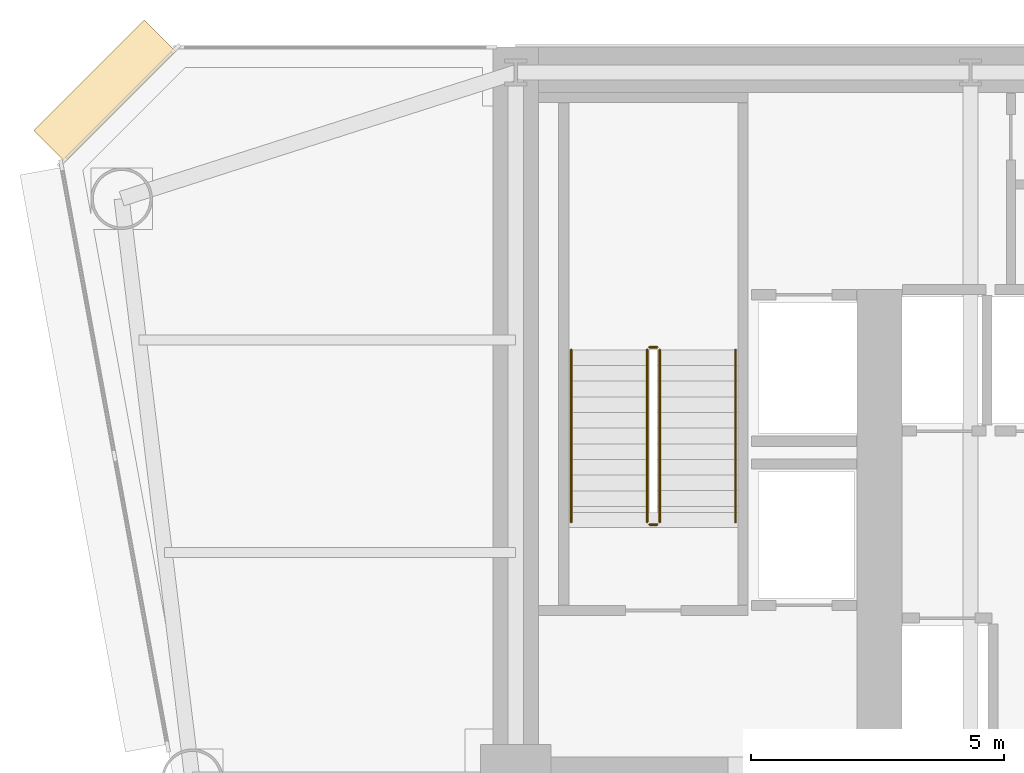
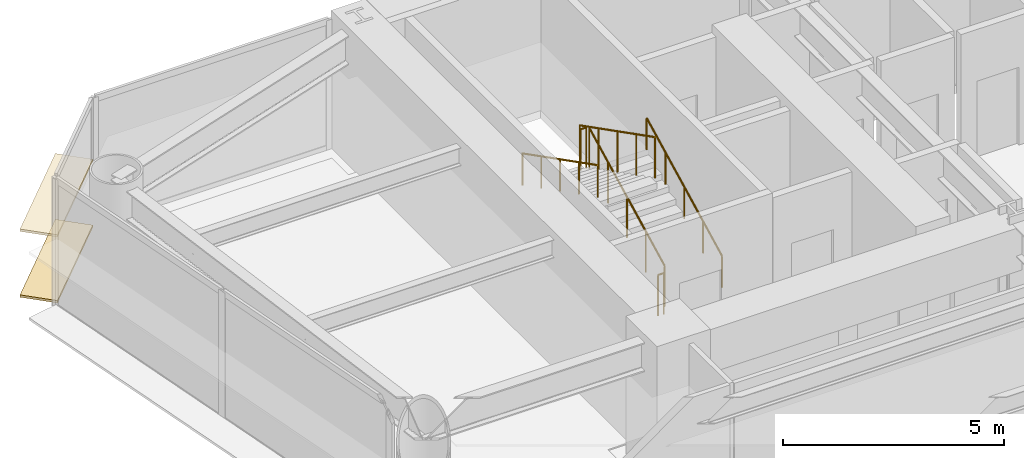
# One storey, part 12 of 14: 6 railings, 2 coverings.
"""IFC4 building model written with IfcOpenShell, lengths in metres."""

from ifc_helpers import new_model, si_unit, direction, frame, origin, origin_2d, place, context, subcontext, project, spatial, rectangle, circle, extrude, source, transform, mapped, material, layer, layer_set, type_object, element, save


model = new_model("IFC4")

# Units and contexts
model_context = context("Model", 3, precision=1e-05, world=origin(), true_north=direction((0.0, 1.0)))
body_context = subcontext(model_context, "Body", "Model", "MODEL_VIEW")
ifc_project = project(units=[si_unit("LENGTHUNIT", "METRE"), si_unit("AREAUNIT", "SQUARE_METRE"), si_unit("VOLUMEUNIT", "CUBIC_METRE"), si_unit("PLANEANGLEUNIT", "RADIAN"), si_unit("MASSUNIT", "GRAM", prefix="KILO")], contexts=[model_context])

# Site, building, storey
site_placement = place(None, origin())
site = spatial("IfcSite", under=ifc_project, at=site_placement, CompositionType="ELEMENT")
building_placement = place(site_placement, origin())
building = spatial("IfcBuilding", under=site, at=building_placement, Name="Vaeldorn Concourse Tower", CompositionType="ELEMENT")
storey_placement = place(building_placement, frame((0.0, 0.0, 75.800048828125)))
storey = spatial("IfcBuildingStorey", under=building, at=storey_placement, Name="L19", CompositionType="ELEMENT", Elevation=75.800048828125)

# Railings
ifc_material = material(Name="Anodised Bronze Aluminium", Category="aluminium")
railing_type_1 = type_object("IfcRailingType", Name="RL-STAIR-GUARD", PredefinedType="GUARDRAIL", material=ifc_material)
railing_1_placement = place(storey_placement, frame((16.85009765625, 41.60009765625, 0.158203125)))
element("IfcRailing", 1, at=railing_1_placement, inside=storey, type_object=railing_type_1, Name="L19 ST-1 stair guard 1", PredefinedType="GUARDRAIL", context=body_context, shape_type="SweptSolid", body=[
    extrude(circle(Radius=0.02392578125, at=origin_2d()), frame((0.0, 0.0, 1.1259765625), z_axis=(0.0, 0.890555807335, 0.454873997962), x_axis=(-1.0, 0.0, 0.0)), (0.0, 0.0, 1.0), 3.828857421875),
    extrude(circle(Radius=0.02099609375, at=origin_2d()), origin(), (0.0, 0.0, 1.0), 1.101806640625),
    extrude(circle(Radius=0.02099609375, at=origin_2d()), frame((0.0, 0.8525390625, 0.435546875)), (0.0, 0.0, 1.0), 1.101806640625),
    extrude(circle(Radius=0.02099609375, at=origin_2d()), frame((0.0, 1.705078125, 0.870849609375)), (0.0, 0.0, 1.0), 1.101806640625),
    extrude(circle(Radius=0.02099609375, at=origin_2d()), frame((0.0, 2.557373046875, 1.30615234375)), (0.0, 0.0, 1.0), 1.101806640625),
    extrude(circle(Radius=0.02099609375, at=origin_2d()), frame((0.0, 3.409912109375, 1.74169921875)), (0.0, 0.0, 1.0), 1.101806640625),
])
railing_2_placement = place(storey_placement, frame((16.800048828125, 45.06005859375, 1.89990234375)))
element("IfcRailing", 2, at=railing_2_placement, inside=storey, type_object=railing_type_1, Name="L19 ST-1 stair guard 2", PredefinedType="GUARDRAIL", context=body_context, shape_type="SweptSolid", body=[
    extrude(circle(Radius=0.02392578125, at=origin_2d()), frame((0.0, 0.0, 1.1259765625), z_axis=(-1.0, 0.0, 0.0), x_axis=(0.0, -1.0, 0.0)), (0.0, 0.0, 1.0), 0.150146484375),
    extrude(circle(Radius=0.02099609375, at=origin_2d()), origin(), (0.0, 0.0, 1.0), 1.101806640625),
    extrude(circle(Radius=0.02099609375, at=origin_2d()), frame((-0.150146484375, 0.0, 0.0)), (0.0, 0.0, 1.0), 1.101806640625),
])
railing_3_placement = place(storey_placement, frame((16.60009765625, 45.010009765625, 2.058349609375)))
element("IfcRailing", 3, at=railing_3_placement, inside=storey, type_object=railing_type_1, Name="L19 ST-1 stair guard 3", PredefinedType="GUARDRAIL", context=body_context, shape_type="SweptSolid", body=[
    extrude(circle(Radius=0.02392578125, at=origin_2d()), frame((0.0, 0.0, 1.1259765625), z_axis=(0.0, -0.890555807335, 0.454873997962), x_axis=(1.0, 0.0, 0.0)), (0.0, 0.0, 1.0), 3.828857421875),
    extrude(circle(Radius=0.02099609375, at=origin_2d()), origin(), (0.0, 0.0, 1.0), 1.101806640625),
    extrude(circle(Radius=0.02099609375, at=origin_2d()), frame((0.0, -0.8525390625, 0.435546875)), (0.0, 0.0, 1.0), 1.101806640625),
    extrude(circle(Radius=0.02099609375, at=origin_2d()), frame((0.0, -1.705078125, 0.870849609375)), (0.0, 0.0, 1.0), 1.101806640625),
    extrude(circle(Radius=0.02099609375, at=origin_2d()), frame((0.0, -2.557373046875, 1.30615234375)), (0.0, 0.0, 1.0), 1.101806640625),
    extrude(circle(Radius=0.02099609375, at=origin_2d()), frame((0.0, -3.409912109375, 1.74169921875)), (0.0, 0.0, 1.0), 1.101806640625),
])
railing_4_placement = place(storey_placement, frame((16.800048828125, 41.550048828125, 0.0)))
element("IfcRailing", 4, at=railing_4_placement, inside=storey, type_object=railing_type_1, Name="L19 ST-1 stair guard 4", PredefinedType="GUARDRAIL", context=body_context, shape_type="SweptSolid", body=[
    extrude(circle(Radius=0.02392578125, at=origin_2d()), frame((0.0, 0.0, 1.1259765625), z_axis=(-1.0, 0.0, 0.0), x_axis=(0.0, -1.0, 0.0)), (0.0, 0.0, 1.0), 0.150146484375),
    extrude(circle(Radius=0.02099609375, at=origin_2d()), origin(), (0.0, 0.0, 1.0), 1.101806640625),
    extrude(circle(Radius=0.02099609375, at=origin_2d()), frame((-0.150146484375, 0.0, 0.0)), (0.0, 0.0, 1.0), 1.101806640625),
])
railing_type_2 = type_object("IfcRailingType", Name="RL-STAIR-HANDRAIL", PredefinedType="HANDRAIL", material=ifc_material)
railing_5_placement = place(storey_placement, frame((18.35009765625, 41.60009765625, 0.158203125)))
element("IfcRailing", 5, at=railing_5_placement, inside=storey, type_object=railing_type_2, Name="L19 ST-1 stair handrail 1", PredefinedType="HANDRAIL", context=body_context, shape_type="SweptSolid", body=[
    extrude(circle(Radius=0.02392578125, at=origin_2d()), frame((0.0, 0.0, 0.8759765625), z_axis=(0.0, 0.890555807335, 0.454873997962), x_axis=(-1.0, 0.0, 0.0)), (0.0, 0.0, 1.0), 3.828857421875),
    extrude(circle(Radius=0.02099609375, at=origin_2d()), origin(), (0.0, 0.0, 1.0), 0.851806640625),
    extrude(circle(Radius=0.02099609375, at=origin_2d()), frame((0.0, 0.8525390625, 0.435546875)), (0.0, 0.0, 1.0), 0.851806640625),
    extrude(circle(Radius=0.02099609375, at=origin_2d()), frame((0.0, 1.705078125, 0.870849609375)), (0.0, 0.0, 1.0), 0.851806640625),
    extrude(circle(Radius=0.02099609375, at=origin_2d()), frame((0.0, 2.557373046875, 1.30615234375)), (0.0, 0.0, 1.0), 0.851806640625),
    extrude(circle(Radius=0.02099609375, at=origin_2d()), frame((0.0, 3.409912109375, 1.74169921875)), (0.0, 0.0, 1.0), 0.851806640625),
])
railing_6_placement = place(storey_placement, frame((15.10009765625, 45.010009765625, 2.058349609375)))
element("IfcRailing", 6, at=railing_6_placement, inside=storey, type_object=railing_type_2, Name="L19 ST-1 stair handrail 2", PredefinedType="HANDRAIL", context=body_context, shape_type="SweptSolid", body=[
    extrude(circle(Radius=0.02392578125, at=origin_2d()), frame((0.0, 0.0, 0.8759765625), z_axis=(0.0, -0.890555807335, 0.454873997962), x_axis=(1.0, 0.0, 0.0)), (0.0, 0.0, 1.0), 3.828857421875),
    extrude(circle(Radius=0.02099609375, at=origin_2d()), origin(), (0.0, 0.0, 1.0), 0.851806640625),
    extrude(circle(Radius=0.02099609375, at=origin_2d()), frame((0.0, -0.8525390625, 0.435546875)), (0.0, 0.0, 1.0), 0.851806640625),
    extrude(circle(Radius=0.02099609375, at=origin_2d()), frame((0.0, -1.705078125, 0.870849609375)), (0.0, 0.0, 1.0), 0.851806640625),
    extrude(circle(Radius=0.02099609375, at=origin_2d()), frame((0.0, -2.557373046875, 1.30615234375)), (0.0, 0.0, 1.0), 0.851806640625),
    extrude(circle(Radius=0.02099609375, at=origin_2d()), frame((0.0, -3.409912109375, 1.74169921875)), (0.0, 0.0, 1.0), 0.851806640625),
])

# Coverings
ifc_layer = layer(ifc_material, 0.06494140625)
ifc_layer_set = layer_set([ifc_layer], Name="Anodised Bronze Aluminium")
covering_type = type_object("IfcCoveringType", Name="SD-BRONZE-SUNSHADE", PredefinedType="USERDEFINED", material=ifc_layer_set)
shared_shape = source(origin(), body_context, "Body", "SweptSolid", [
    extrude(rectangle(XDim=3.0927734375, YDim=0.8798828125, at=origin_2d()), origin(), (0.0, 0.0, 1.0), 0.06494140625),
])
for number, where, z_axis, x_axis, name in (
    (7, (5.8671875, 50.1328125, 0.04736328125), (0.0, 0.0, 1.0), (-0.707106781187, -0.707106781187, 0.0), "Horizontal Bronze Sunshade L19-E10.1.1"),
    (8, (5.8671875, 50.1328125, 1.867431640625), (0.0, 0.0, 1.0), (-0.707106781187, -0.707106781187, 0.0), "Horizontal Bronze Sunshade L19-E10.1.2"),
):
    element("IfcCovering", number, at=place(storey_placement, frame(where, z_axis=z_axis, x_axis=x_axis)), inside=storey, type_object=covering_type, Name=name, ObjectType="SUNSHADE", PredefinedType="USERDEFINED", context=body_context, shape_type="MappedRepresentation", body=[
        mapped(shared_shape, transform((0.0, 0.0, 0.0), scale=1.0)),
    ])

save(model, "model.ifc")
